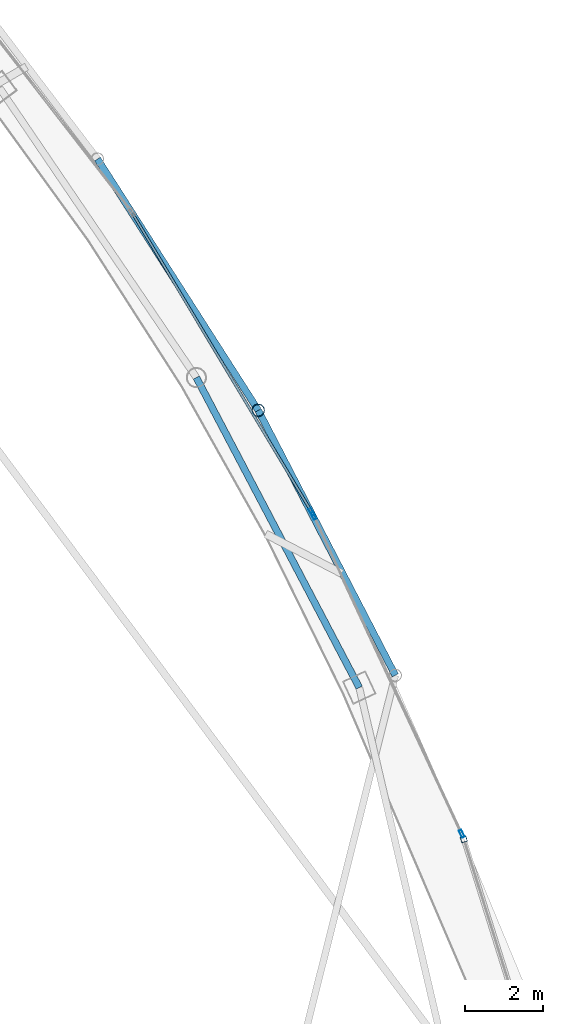
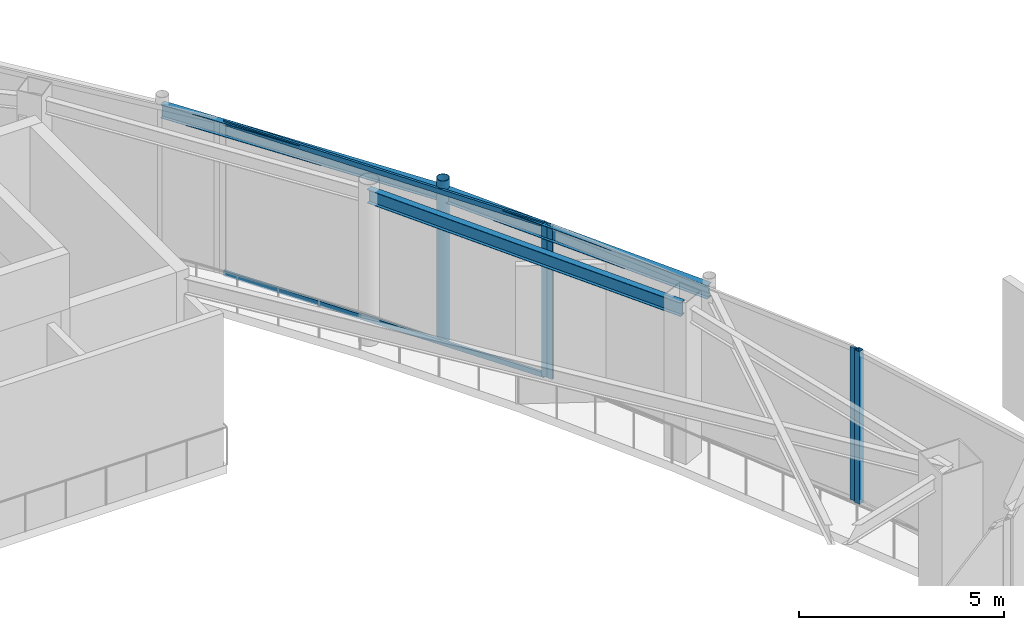
# One storey, part 13 of 18: 7 members, 3 beams, 3 elements without a shape of their own.
"""IFC4 building model written with IfcOpenShell, lengths in metres."""

from ifc_helpers import new_model, si_unit, direction, frame, origin, origin_2d, place, context, subcontext, project, spatial, hollow_rectangle, hollow_circle, i_section, extrude, material, layer, layer_set, material_profile, profile_set, type_object, element, aggregate, save


model = new_model("IFC4")

# Units and contexts
model_context = context("Model", 3, precision=1e-05, world=origin(), true_north=direction((0.0, 1.0)))
body_context = subcontext(model_context, "Body", "Model", "MODEL_VIEW")
ifc_project = project(units=[si_unit("LENGTHUNIT", "METRE"), si_unit("AREAUNIT", "SQUARE_METRE"), si_unit("VOLUMEUNIT", "CUBIC_METRE"), si_unit("PLANEANGLEUNIT", "RADIAN"), si_unit("MASSUNIT", "GRAM", prefix="KILO")], contexts=[model_context])

# Site, building, storey
site_placement = place(None, origin())
site = spatial("IfcSite", under=ifc_project, at=site_placement, CompositionType="ELEMENT")
building_placement = place(site_placement, origin())
building = spatial("IfcBuilding", under=site, at=building_placement, Name="Orvanel Arch Residences", CompositionType="ELEMENT")
storey_placement = place(building_placement, frame((0.0, 0.0, 310.10009765625)))
storey = spatial("IfcBuildingStorey", under=building, at=storey_placement, Name="L86", CompositionType="ELEMENT", Elevation=310.10009765625)

# Curtain wall, member
ifc_material_1 = material(Name="Bronze-anodised aluminium AA6063-T6", Category="aluminium")
ifc_layer = layer(ifc_material_1, 0.2099609375)
ifc_layer_set = layer_set([ifc_layer], Name="Bronze-anodised aluminium AA6063-T6")
curtain_wall_type = type_object("IfcCurtainWallType", Name="CW7-TOP-SYS", PredefinedType="NOTDEFINED", material=ifc_layer_set)
curtain_wall_1_placement = place(storey_placement, origin())
curtain_wall_1 = element("IfcCurtainWall", 1, at=curtain_wall_1_placement, inside=storey, type_object=curtain_wall_type, Name="L86 CW7-TOP-SYS Unitised Curtain Wall", PredefinedType="NOTDEFINED")
ifc_material_profile_1 = material_profile(ifc_material_1, hollow_rectangle(XDim=0.14990234375, YDim=0.14990234375, WallThickness=0.0048828125, at=origin_2d()), Name="ALU150x150x5")
ifc_profile_set_1 = profile_set([ifc_material_profile_1], Name="Bronze-anodised aluminium AA6063-T6")
member_type_1 = type_object("IfcMemberType", Name="MUL-150x150", PredefinedType="MULLION", material=ifc_profile_set_1)
member_1_placement = place(storey_placement, frame((52.330322265625, 15.7294921875, 0.0), z_axis=(0.0, 0.0, 1.0), x_axis=(-0.954283945864, -0.298901573542, 0.0)))
member_1 = element("IfcMember", 2, at=member_1_placement, type_object=member_type_1, Name="CW-S7 mullion 2", PredefinedType="MULLION", context=body_context, shape_type="SweptSolid", body=[
    extrude(hollow_rectangle(XDim=0.14990234375, YDim=0.14990234375, WallThickness=0.0048828125, at=origin_2d()), origin(), (0.0, 0.0, 1.0), 4.539794921875),
])
aggregate(curtain_wall_1, [member_1])

# Curtain wall, members
curtain_wall_2_placement = place(storey_placement, origin())
curtain_wall_2 = element("IfcCurtainWall", 3, at=curtain_wall_2_placement, inside=storey, type_object=curtain_wall_type, Name="L86 CW7-TOP-SYS Unitised Curtain Wall", PredefinedType="NOTDEFINED")
ifc_material_profile_2 = material_profile(ifc_material_1, hollow_rectangle(XDim=0.074951171875, YDim=0.199951171875, WallThickness=0.0048828125, at=origin_2d()), Name="ALU200x75x5")
ifc_profile_set_2 = profile_set([ifc_material_profile_2], Name="Bronze-anodised aluminium AA6063-T6")
member_type_2 = type_object("IfcMemberType", Name="MUL-200x75", PredefinedType="MULLION", material=ifc_profile_set_2)
member_2_placement = place(storey_placement, frame((52.278076171875, 15.8720703125, 0.0), z_axis=(0.0, 0.0, 1.0), x_axis=(-0.906426569511, -0.422363438385, 0.0)))
member_2 = element("IfcMember", 4, at=member_2_placement, type_object=member_type_2, Name="CW-S7 mullion 1", PredefinedType="MULLION", context=body_context, shape_type="SweptSolid", body=[
    extrude(hollow_rectangle(XDim=0.074951171875, YDim=0.199951171875, WallThickness=0.0048828125, at=origin_2d()), origin(), (0.0, 0.0, 1.0), 4.539794921875),
])
member_3_placement = place(storey_placement, frame((48.455810546875, 24.074951171875, 0.0), z_axis=(0.0, 0.0, 1.0), x_axis=(-0.906426569511, -0.422363438385, 0.0)))
member_3 = element("IfcMember", 5, at=member_3_placement, type_object=member_type_2, Name="CW-S7 mullion 2", PredefinedType="MULLION", context=body_context, shape_type="SweptSolid", body=[
    extrude(hollow_rectangle(XDim=0.074951171875, YDim=0.199951171875, WallThickness=0.0048828125, at=origin_2d()), origin(), (0.0, 0.0, 1.0), 4.539794921875),
])
aggregate(curtain_wall_2, [member_2, member_3])

# Curtain wall, member
curtain_wall_3_placement = place(storey_placement, origin())
curtain_wall_3 = element("IfcCurtainWall", 6, at=curtain_wall_3_placement, inside=storey, type_object=curtain_wall_type, Name="L86 CW7-TOP-SYS Unitised Curtain Wall", PredefinedType="NOTDEFINED")
member_4_placement = place(storey_placement, frame((48.402587890625, 24.17626953125, 0.0), z_axis=(0.0, 0.0, 1.0), x_axis=(-0.857522096821, -0.514447133788, 0.0)))
member_4 = element("IfcMember", 7, at=member_4_placement, type_object=member_type_2, Name="CW-S7 mullion 1", PredefinedType="MULLION", context=body_context, shape_type="SweptSolid", body=[
    extrude(hollow_rectangle(XDim=0.074951171875, YDim=0.199951171875, WallThickness=0.0048828125, at=origin_2d()), origin(), (0.0, 0.0, 1.0), 4.539794921875),
])

# Beams
ifc_material_2 = material(Name="Structural steel AS/NZS 3679.1 Grade 300 (300 MPa)", Category="steel")
ifc_material_profile_3 = material_profile(ifc_material_2, i_section(OverallWidth=0.177978515625, OverallDepth=0.406005859375, WebThickness=0.0078125, FlangeThickness=0.0126953125, at=origin_2d()), Name="410UB59.7")
ifc_profile_set_3 = profile_set([ifc_material_profile_3], Name="Structural steel AS/NZS 3679.1 Grade 300 (300 MPa)")
beam_type_1 = type_object("IfcBeamType", Name="OB-410UB", PredefinedType="SPANDREL", material=ifc_profile_set_3)
beam_1_placement = place(storey_placement, frame((49.633056640625, 19.64208984375, 4.3369140625), z_axis=(-0.465064762793, 0.885276660942, 0.0), x_axis=(-0.885276660942, -0.465064762793, 0.0)))
element("IfcBeam", 8, at=beam_1_placement, inside=storey, type_object=beam_type_1, Name="L86 Perimeter Spandrel Beam 07", PredefinedType="SPANDREL", context=body_context, shape_type="SweptSolid", body=[
    extrude(i_section(OverallWidth=0.177978515625, OverallDepth=0.406005859375, WebThickness=0.0078125, FlangeThickness=0.0126953125, at=origin_2d()), origin(), (0.0, 0.0, 1.0), 9.03564453125),
])
ifc_material_profile_4 = material_profile(ifc_material_2, i_section(OverallWidth=0.177978515625, OverallDepth=0.406005859375, WebThickness=0.0078125, FlangeThickness=0.0126953125, at=origin_2d()), Name="410UB59.7")
ifc_profile_set_4 = profile_set([ifc_material_profile_4], Name="Structural steel AS/NZS 3679.1 Grade 300 (300 MPa)")
beam_type_2 = type_object("IfcBeamType", Name="OB-410UB-EXT", PredefinedType="SPANDREL", material=ifc_profile_set_4)
beam_2_placement = place(storey_placement, frame((50.56396484375, 19.9580078125, 4.3369140625), z_axis=(-0.459425507077, 0.888216304425, 0.0), x_axis=(-0.888216304425, -0.459425507077, 0.0)))
element("IfcBeam", 9, at=beam_2_placement, inside=storey, type_object=beam_type_2, Name="L86 Outer Perimeter Floor Ring Beam 09", PredefinedType="SPANDREL", context=body_context, shape_type="SweptSolid", body=[
    extrude(i_section(OverallWidth=0.177978515625, OverallDepth=0.406005859375, WebThickness=0.0078125, FlangeThickness=0.0126953125, at=origin_2d()), origin(), (0.0, 0.0, 1.0), 7.698486328125),
])
beam_3_placement = place(storey_placement, frame((47.027099609375, 26.7958984375, 4.3369140625), z_axis=(-0.538901583392, 0.842368733642, 0.0), x_axis=(-0.842368733642, -0.538901583392, 0.0)))
element("IfcBeam", 10, at=beam_3_placement, inside=storey, type_object=beam_type_2, Name="L86 Outer Perimeter Floor Ring Beam 10", PredefinedType="SPANDREL", context=body_context, shape_type="SweptSolid", body=[
    extrude(i_section(OverallWidth=0.177978515625, OverallDepth=0.406005859375, WebThickness=0.0078125, FlangeThickness=0.0126953125, at=origin_2d()), origin(), (0.0, 0.0, 1.0), 7.697509765625),
])

# Member
ifc_material_3 = material(Name="Structural steel AS/NZS 1163 C350L0 (Grade 350)", Category="steel")
ifc_material_profile_5 = material_profile(ifc_material_3, hollow_circle(Radius=0.162109375, WallThickness=0.0126953125, at=origin_2d()), Name="CHS324x12.7")
ifc_profile_set_5 = profile_set([ifc_material_profile_5], Name="Structural steel AS/NZS 1163 C350L0 (Grade 350)")
member_type_3 = type_object("IfcMemberType", Name="ST-324CHS-EXT", PredefinedType="STRUT", material=ifc_profile_set_5)
member_5_placement = place(storey_placement, frame((47.027099609375, 26.7958984375, 0.0), z_axis=(0.0, 0.0, 1.0), x_axis=(1.0, 0.0, 0.0)))
element("IfcMember", 11, at=member_5_placement, inside=storey, type_object=member_type_3, Name="L86 Outer Perimeter Frame Post 10", PredefinedType="STRUT", context=body_context, shape_type="SweptSolid", body=[
    extrude(hollow_circle(Radius=0.162109375, WallThickness=0.0126953125, at=origin_2d()), origin(), (0.0, 0.0, 1.0), 4.7998046875),
])

ifc_material_profile_6 = material_profile(ifc_material_1, hollow_rectangle(XDim=0.06494140625, YDim=0.14990234375, WallThickness=0.00390625, at=origin_2d()), Name="ALU150x65x4")
ifc_profile_set_6 = profile_set([ifc_material_profile_6], Name="Bronze-anodised aluminium AA6063-T6")
member_type_4 = type_object("IfcMemberType", Name="TRN-150x65", PredefinedType="USERDEFINED", material=ifc_profile_set_6)
member_6_placement = place(storey_placement, frame((48.38330078125, 24.208251953125, 0.032470703125), z_axis=(-0.514447475071, 0.857521892078, 0.0), x_axis=(-0.857521892078, -0.514447475071, 0.0)))
member_6 = element("IfcMember", 12, at=member_6_placement, type_object=member_type_4, Name="CW-S7 transom 1.1", ObjectType="TRANSOM", PredefinedType="USERDEFINED", context=body_context, shape_type="SweptSolid", body=[
    extrude(hollow_rectangle(XDim=0.06494140625, YDim=0.14990234375, WallThickness=0.00390625, at=origin_2d()), origin(), (0.0, 0.0, 1.0), 8.923828125),
])

member_7_placement = place(storey_placement, frame((48.38330078125, 24.208251953125, 4.50732421875), z_axis=(-0.514447475071, 0.857521892078, 0.0), x_axis=(-0.857521892078, -0.514447475071, 0.0)))
member_7 = element("IfcMember", 13, at=member_7_placement, type_object=member_type_4, Name="CW-S7 transom 1.2", ObjectType="TRANSOM", PredefinedType="USERDEFINED", context=body_context, shape_type="SweptSolid", body=[
    extrude(hollow_rectangle(XDim=0.06494140625, YDim=0.14990234375, WallThickness=0.00390625, at=origin_2d()), origin(), (0.0, 0.0, 1.0), 8.923828125),
])

aggregate(curtain_wall_3, [member_4, member_6, member_7])

save(model, "model.ifc")
